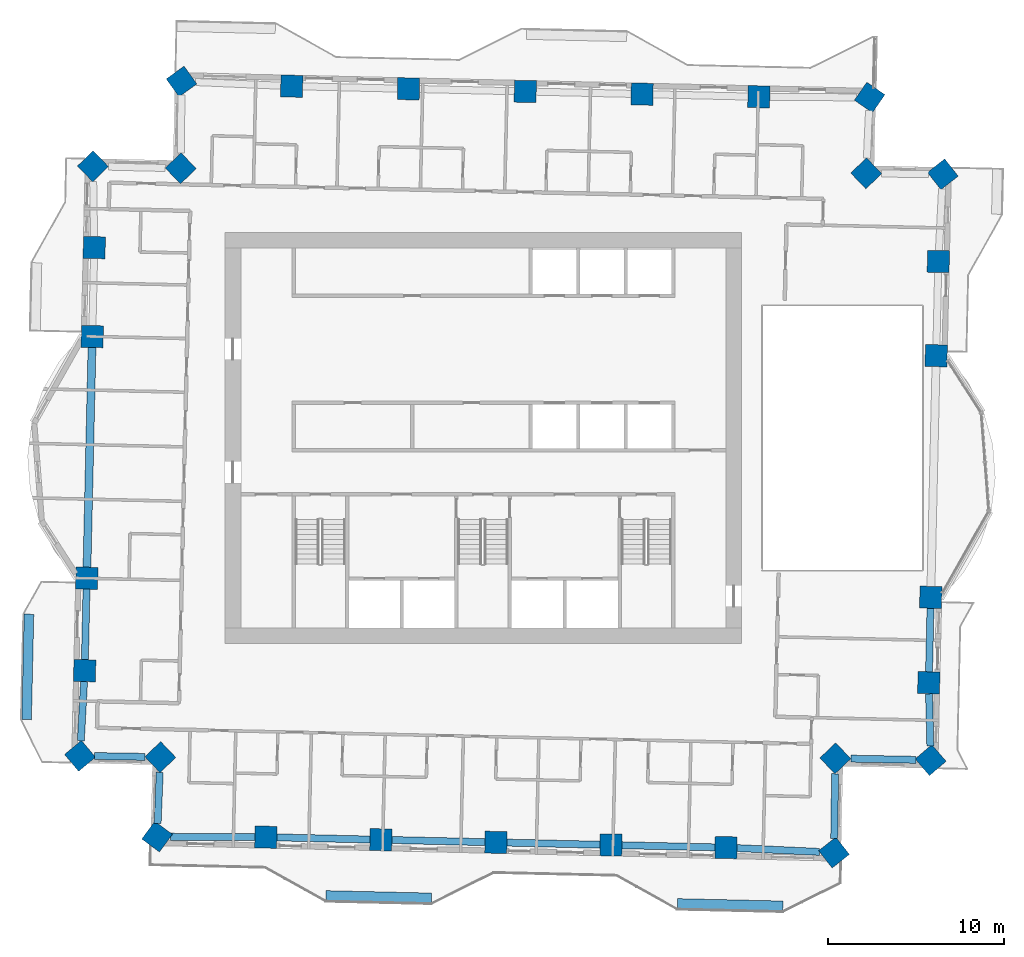
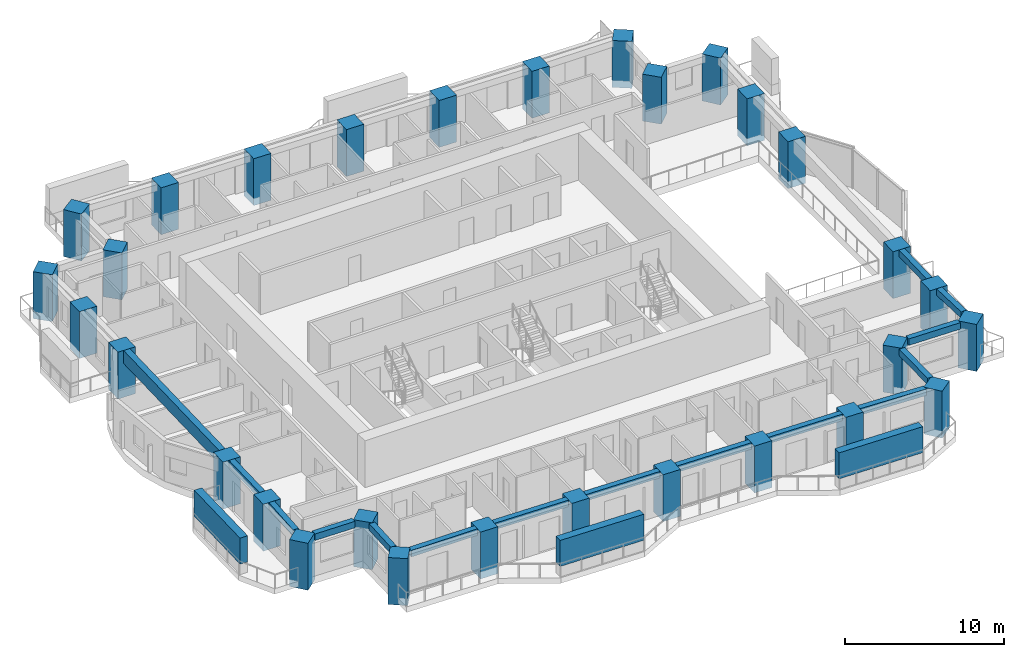
# One storey, part 1 of 14: 30 columns, 15 beams, 3 members.
"""IFC4 building model written with IfcOpenShell, lengths in metres."""

from ifc_helpers import new_model, si_unit, direction, frame, origin, origin_2d, place, context, subcontext, project, spatial, rectangle, extrude, material, material_profile, profile_set, type_object, element, save


model = new_model("IFC4")

# Units and contexts
model_context = context("Model", 3, precision=1e-05, world=origin(), true_north=direction((0.0, 1.0)))
body_context = subcontext(model_context, "Body", "Model", "MODEL_VIEW")
ifc_project = project(units=[si_unit("LENGTHUNIT", "METRE"), si_unit("AREAUNIT", "SQUARE_METRE"), si_unit("VOLUMEUNIT", "CUBIC_METRE"), si_unit("PLANEANGLEUNIT", "RADIAN"), si_unit("MASSUNIT", "GRAM", prefix="KILO")], contexts=[model_context])

# Site, building, storey
site_placement = place(None, origin())
site = spatial("IfcSite", under=ifc_project, at=site_placement, CompositionType="ELEMENT")
building_placement = place(site_placement, origin())
building = spatial("IfcBuilding", under=site, at=building_placement, Name="Mangrove Gate Tower", CompositionType="ELEMENT")
storey_placement = place(building_placement, frame((0.0, 0.0, 152.699951171875)))
storey = spatial("IfcBuildingStorey", under=building, at=storey_placement, Name="L38", CompositionType="ELEMENT", Elevation=152.699951171875)

# Columns
ifc_material_1 = material(Name="Concrete C60/75", Category="concrete")
ifc_material_profile_1 = material_profile(ifc_material_1, rectangle(XDim=1.25, YDim=1.25, at=origin_2d()))
ifc_profile_set_1 = profile_set([ifc_material_profile_1], Name="Concrete C60/75")
column_type = type_object("IfcColumnType", Name="Column RC 1250x1250 C60/75", PredefinedType="COLUMN", material=ifc_profile_set_1)
for number, where, z_axis, x_axis, name in (
    (1, (-22.565185546875, -7.979248046875, -0.550048828125), (0.0, 0.0, 1.0), (-0.022667651322, -0.999743055782, 0.0), "Column L38 W05"),
    (2, (-22.68408203125, -13.240234375, -0.550048828125), (0.0, 0.0, 1.0), (-0.022613490188, -0.999744282335, 0.0), "Column L38 W06"),
    (3, (-22.9482421875, -18.08642578125, -0.550048828125), (0.0, 0.0, 1.0), (0.640873753585, -0.767646293527, 0.0), "Column L38 W07"),
    (4, (-18.378173828125, -18.1591796875, -0.550048828125), (0.0, 0.0, 1.0), (0.690859559249, -0.722988982899, 0.0), "Column L38 W08"),
    (5, (-18.563232421875, -22.686767578125, -0.550048828125), (0.0, 0.0, 1.0), (0.804996144733, -0.593280040929, 0.0), "Column L38 S01"),
    (6, (-12.374755859375, -22.713134765625, -0.550048828125), (0.0, 0.0, 1.0), (0.999742702367, -0.022683233105, 0.0), "Column L38 S02"),
    (7, (-5.829833984375, -22.862060546875, -0.550048828125), (0.0, 0.0, 1.0), (0.999742702367, -0.022683233105, 0.0), "Column L38 S03"),
    (8, (0.715087890625, -23.01025390625, -0.550048828125), (0.0, 0.0, 1.0), (0.999742702367, -0.022683233105, 0.0), "Column L38 S04"),
    (9, (7.26025390625, -23.1591796875, -0.550048828125), (0.0, 0.0, 1.0), (0.999742702367, -0.022683233105, 0.0), "Column L38 S05"),
    (10, (13.80517578125, -23.30712890625, -0.550048828125), (0.0, 0.0, 1.0), (0.999742702367, -0.022683233105, 0.0), "Column L38 S06"),
    (11, (19.94921875, -23.590087890625, -0.550048828125), (0.0, 0.0, 1.0), (0.785651346068, 0.618669509853, 0.0), "Column L38 S07"),
    (12, (20.026123046875, -18.230224609375, -0.550048828125), (0.0, 0.0, 1.0), (0.722965976266, 0.690883635037, 0.0), "Column L38 E01"),
    (13, (25.449462890625, -18.3310546875, -0.550048828125), (0.0, 0.0, 1.0), (0.758167511602, 0.65205983188, 0.0), "Column L38 E02"),
    (14, (25.342041015625, -13.9296875, -0.550048828125), (0.0, 0.0, 1.0), (0.022726069892, 0.999741729522, 0.0), "Column L38 E03"),
    (15, (25.453125, -9.06884765625, -0.550048828125), (0.0, 0.0, 1.0), (0.022725057863, 0.999741752527, 0.0), "Column L38 E04"),
    (16, (25.76513671875, 4.67919921875, -0.550048828125), (0.0, 0.0, 1.0), (0.022654843895, 0.999743346088, 0.0), "Column L38 E05"),
    (17, (25.88623046875, 10.0390625, -0.550048828125), (0.0, 0.0, 1.0), (0.022659973846, 0.999743229827, 0.0), "Column L38 E06"),
    (18, (26.140869140625, 15.000732421875, -0.550048828125), (0.0, 0.0, 1.0), (-0.616591984417, 0.787282874672, 0.0), "Column L38 E07"),
    (19, (21.7822265625, 15.05419921875, -0.550048828125), (0.0, 0.0, 1.0), (-0.690854032309, 0.722994264183, 0.0), "Column L38 E08"),
    (20, (21.977294921875, 19.371826171875, -0.550048828125), (0.0, 0.0, 1.0), (-0.821084149613, 0.570807164684, 0.0), "Column L38 N01"),
    (21, (15.6748046875, 19.4111328125, -0.550048828125), (0.0, 0.0, 1.0), (-0.999741913136, 0.022717991104, 0.0), "Column L38 N02"),
    (22, (9.02978515625, 19.562255859375, -0.550048828125), (0.0, 0.0, 1.0), (-0.999741913136, 0.022717991104, 0.0), "Column L38 N03"),
    (23, (2.384765625, 19.713134765625, -0.550048828125), (0.0, 0.0, 1.0), (-0.999743618843, 0.022642804212, 0.0), "Column L38 N04"),
    (24, (-4.26025390625, 19.86328125, -0.550048828125), (0.0, 0.0, 1.0), (-0.999743618843, 0.022642804212, 0.0), "Column L38 N05"),
    (25, (-10.9052734375, 20.01416015625, -0.550048828125), (0.0, 0.0, 1.0), (-0.999741913136, 0.022717991104, 0.0), "Column L38 N06"),
    (26, (-17.171630859375, 20.2822265625, -0.550048828125), (0.0, 0.0, 1.0), (-0.812545678333, -0.582897521545, 0.0), "Column L38 N07"),
    (27, (-17.21728515625, 15.339111328125, -0.550048828125), (0.0, 0.0, 1.0), (-0.722976563275, -0.690872556232, 0.0), "Column L38 W01"),
    (28, (-22.21337890625, 15.455810546875, -0.550048828125), (0.0, 0.0, 1.0), (-0.718744863036, -0.695273918581, 0.0), "Column L38 W02"),
    (29, (-22.13818359375, 10.829833984375, -0.550048828125), (0.0, 0.0, 1.0), (-0.022716926728, -0.999741937322, 0.0), "Column L38 W03"),
    (30, (-22.253173828125, 5.768798828125, -0.550048828125), (0.0, 0.0, 1.0), (-0.022696057972, -0.9997424113, 0.0), "Column L38 W04"),
):
    element("IfcColumn", number, at=place(storey_placement, frame(where, z_axis=z_axis, x_axis=x_axis)), inside=storey, type_object=column_type, Name=name, PredefinedType="COLUMN", context=body_context, shape_type="SweptSolid", body=[
        extrude(rectangle(XDim=1.25, YDim=1.25, at=origin_2d()), origin(), (0.0, 0.0, 1.0), 3.60009765625),
    ])

# Members
ifc_material_2 = material(Name="Planting on aluminium trellis", Category="aluminium")
ifc_material_profile_2 = material_profile(ifc_material_2, rectangle(XDim=0.550048828125, YDim=2.0, at=origin_2d()))
ifc_profile_set_2 = profile_set([ifc_material_profile_2], Name="Planting on aluminium trellis")
member_type = type_object("IfcMemberType", Name="Balcony greenery screen 550x2000", PredefinedType="USERDEFINED", material=ifc_profile_set_2)
member_placement = place(storey_placement, frame((-25.988037109375, -16.028076171875, 1.800048828125), z_axis=(0.022662255828, 0.999743178102, 0.0), x_axis=(-0.999743178102, 0.022662255828, 0.0)))
element("IfcMember", 31, at=member_placement, inside=storey, type_object=member_type, Name="GREEN SCREEN L38 W1.1", ObjectType="PLANTING", PredefinedType="USERDEFINED", context=body_context, shape_type="SweptSolid", body=[
    extrude(rectangle(XDim=0.550048828125, YDim=2.0, at=origin_2d()), origin(), (0.0, 0.0, 1.0), 6.00048828125),
])
for number, where, z_axis, x_axis, name in (
    (32, (-8.9560546875, -26.031982421875, 1.800048828125), (0.999743094499, -0.022665943652, 0.0), (0.022665943652, 0.999743094499, 0.0), "GREEN SCREEN L38 S0.1"),
    (33, (11.0390625, -26.486083984375, 1.800048828125), (0.999743094499, -0.022665943652, 0.0), (0.022665943652, 0.999743094499, 0.0), "GREEN SCREEN L38 S1.1"),
):
    element("IfcMember", number, at=place(storey_placement, frame(where, z_axis=z_axis, x_axis=x_axis)), inside=storey, type_object=member_type, Name=name, ObjectType="PLANTING", PredefinedType="USERDEFINED", context=body_context, shape_type="SweptSolid", body=[
        extrude(rectangle(XDim=0.550048828125, YDim=2.0, at=origin_2d()), origin(), (0.0, 0.0, 1.0), 5.99951171875),
    ])

# Beams
ifc_material_3 = material(Name="Concrete C50/60", Category="concrete")
ifc_material_profile_3 = material_profile(ifc_material_3, rectangle(XDim=0.39990234375, YDim=0.5, at=origin_2d()))
ifc_profile_set_3 = profile_set([ifc_material_profile_3], Name="Concrete C50/60")
beam_type_1 = type_object("IfcBeamType", Name="Edge beam RC 400x500 C50/60", PredefinedType="BEAM", material=ifc_profile_set_3)
beam_1_placement = place(storey_placement, frame((-22.579345703125, -8.60400390625, 2.800048828125), z_axis=(-0.02257489059, -0.999745154684, 0.0), x_axis=(0.999745154684, -0.02257489059, 0.0)))
element("IfcBeam", 34, at=beam_1_placement, inside=storey, type_object=beam_type_1, Name="Edge beam L38 00", PredefinedType="BEAM", context=body_context, shape_type="SweptSolid", body=[
    extrude(rectangle(XDim=0.39990234375, YDim=0.5, at=origin_2d()), origin(), (0.0, 0.0, 1.0), 4.01220703125),
])
beam_2_placement = place(storey_placement, frame((-22.71826171875, -13.864501953125, 2.800048828125), z_axis=(-0.054415957845, -0.998518354129, 0.0), x_axis=(0.998518354129, -0.054415957845, 0.0)))
element("IfcBeam", 35, at=beam_2_placement, inside=storey, type_object=beam_type_1, Name="Edge beam L38 01", PredefinedType="BEAM", context=body_context, shape_type="SweptSolid", body=[
    extrude(rectangle(XDim=0.39990234375, YDim=0.5, at=origin_2d()), origin(), (0.0, 0.0, 1.0), 3.373779296875),
])
beam_3_placement = place(storey_placement, frame((-22.123046875, -18.099609375, 2.800048828125), z_axis=(0.999873252746, -0.015921006324, 0.0), x_axis=(0.015921006324, 0.999873252746, 0.0)))
element("IfcBeam", 36, at=beam_3_placement, inside=storey, type_object=beam_type_1, Name="Edge beam L38 02", PredefinedType="BEAM", context=body_context, shape_type="SweptSolid", body=[
    extrude(rectangle(XDim=0.39990234375, YDim=0.5, at=origin_2d()), origin(), (0.0, 0.0, 1.0), 2.867431640625),
])
beam_4_placement = place(storey_placement, frame((-18.41357421875, -19.02685546875, 2.800048828125), z_axis=(-0.040876425579, -0.999164209643, 0.0), x_axis=(0.999164209643, -0.040876425579, 0.0)))
element("IfcBeam", 37, at=beam_4_placement, inside=storey, type_object=beam_type_1, Name="Edge beam L38 03", PredefinedType="BEAM", context=body_context, shape_type="SweptSolid", body=[
    extrude(rectangle(XDim=0.39990234375, YDim=0.5, at=origin_2d()), origin(), (0.0, 0.0, 1.0), 2.90869140625),
])
beam_5_placement = place(storey_placement, frame((-17.789306640625, -22.690185546875, 2.800048828125), z_axis=(0.999991049338, -0.004230986241, 0.0), x_axis=(0.004230986241, 0.999991049338, 0.0)))
element("IfcBeam", 38, at=beam_5_placement, inside=storey, type_object=beam_type_1, Name="Edge beam L38 04", PredefinedType="BEAM", context=body_context, shape_type="SweptSolid", body=[
    extrude(rectangle(XDim=0.39990234375, YDim=0.5, at=origin_2d()), origin(), (0.0, 0.0, 1.0), 4.789306640625),
])
for number, where, z_axis, x_axis, name in (
    (39, (-11.75, -22.727294921875, 2.800048828125), (0.999740739783, -0.022769567794, 0.0), (0.022769567794, 0.999740739783, 0.0), "Edge beam L38 05"),
    (40, (-5.205078125, -22.876220703125, 2.800048828125), (0.999743877925, -0.022631362105, 0.0), (0.022631362105, 0.999743877925, 0.0), "Edge beam L38 06"),
):
    element("IfcBeam", number, at=place(storey_placement, frame(where, z_axis=z_axis, x_axis=x_axis)), inside=storey, type_object=beam_type_1, Name=name, PredefinedType="BEAM", context=body_context, shape_type="SweptSolid", body=[
        extrude(rectangle(XDim=0.39990234375, YDim=0.5, at=origin_2d()), origin(), (0.0, 0.0, 1.0), 5.296875),
    ])
beam_6_placement = place(storey_placement, frame((1.340087890625, -23.0244140625, 2.800048828125), z_axis=(0.999740715885, -0.022770617071, 0.0), x_axis=(0.022770617071, 0.999740715885, 0.0)))
element("IfcBeam", 41, at=beam_6_placement, inside=storey, type_object=beam_type_1, Name="Edge beam L38 07", PredefinedType="BEAM", context=body_context, shape_type="SweptSolid", body=[
    extrude(rectangle(XDim=0.39990234375, YDim=0.5, at=origin_2d()), origin(), (0.0, 0.0, 1.0), 5.296630859375),
])
beam_7_placement = place(storey_placement, frame((7.885009765625, -23.17333984375, 2.800048828125), z_axis=(0.999744919731, -0.022585293253, 0.0), x_axis=(0.022585293253, 0.999744919731, 0.0)))
element("IfcBeam", 42, at=beam_7_placement, inside=storey, type_object=beam_type_1, Name="Edge beam L38 08", PredefinedType="BEAM", context=body_context, shape_type="SweptSolid", body=[
    extrude(rectangle(XDim=0.39990234375, YDim=0.5, at=origin_2d()), origin(), (0.0, 0.0, 1.0), 5.296875),
])
beam_8_placement = place(storey_placement, frame((14.4296875, -23.3359375, 2.800048828125), z_axis=(0.998942344902, -0.045980338859, 0.0), x_axis=(0.045980338859, 0.998942344902, 0.0)))
element("IfcBeam", 43, at=beam_8_placement, inside=storey, type_object=beam_type_1, Name="Edge beam L38 09", PredefinedType="BEAM", context=body_context, shape_type="SweptSolid", body=[
    extrude(rectangle(XDim=0.39990234375, YDim=0.5, at=origin_2d()), origin(), (0.0, 0.0, 1.0), 4.698974609375),
])
beam_9_placement = place(storey_placement, frame((19.9609375, -22.785400390625, 2.800048828125), z_axis=(0.014333541957, 0.999897269511, 0.0), x_axis=(-0.999897269511, 0.014333541957, 0.0)))
element("IfcBeam", 44, at=beam_9_placement, inside=storey, type_object=beam_type_1, Name="Edge beam L38 10", PredefinedType="BEAM", context=body_context, shape_type="SweptSolid", body=[
    extrude(rectangle(XDim=0.39990234375, YDim=0.5, at=origin_2d()), origin(), (0.0, 0.0, 1.0), 3.67919921875),
])
beam_10_placement = place(storey_placement, frame((20.90625, -18.24658203125, 2.800048828125), z_axis=(0.999827422602, -0.018577540566, 0.0), x_axis=(0.018577540566, 0.999827422602, 0.0)))
element("IfcBeam", 45, at=beam_10_placement, inside=storey, type_object=beam_type_1, Name="Edge beam L38 11", PredefinedType="BEAM", context=body_context, shape_type="SweptSolid", body=[
    extrude(rectangle(XDim=0.39990234375, YDim=0.5, at=origin_2d()), origin(), (0.0, 0.0, 1.0), 3.7060546875),
])
beam_11_placement = place(storey_placement, frame((25.4296875, -17.523681640625, 2.800048828125), z_axis=(-0.024338897392, 0.999703765159, 0.0), x_axis=(-0.999703765159, -0.024338897392, 0.0)))
element("IfcBeam", 46, at=beam_11_placement, inside=storey, type_object=beam_type_1, Name="Edge beam L38 12", PredefinedType="BEAM", context=body_context, shape_type="SweptSolid", body=[
    extrude(rectangle(XDim=0.39990234375, YDim=0.5, at=origin_2d()), origin(), (0.0, 0.0, 1.0), 2.96923828125),
])
beam_12_placement = place(storey_placement, frame((25.3564453125, -13.304931640625, 2.800048828125), z_axis=(0.022844226229, 0.999739036613, 0.0), x_axis=(-0.999739036613, 0.022844226229, 0.0)))
element("IfcBeam", 47, at=beam_12_placement, inside=storey, type_object=beam_type_1, Name="Edge beam L38 13", PredefinedType="BEAM", context=body_context, shape_type="SweptSolid", body=[
    extrude(rectangle(XDim=0.39990234375, YDim=0.5, at=origin_2d()), origin(), (0.0, 0.0, 1.0), 3.6123046875),
])
ifc_material_4 = material(Name="Concrete C50/60", Category="concrete")
ifc_material_profile_4 = material_profile(ifc_material_4, rectangle(XDim=0.449951171875, YDim=1.0, at=origin_2d()))
ifc_profile_set_4 = profile_set([ifc_material_profile_4], Name="Concrete C50/60")
beam_type_2 = type_object("IfcBeamType", Name="Edge beam RC 450x1000 C50/60", PredefinedType="BEAM", material=ifc_profile_set_4)
beam_13_placement = place(storey_placement, frame((-22.267333984375, 5.14404296875, 2.550048828125), z_axis=(-0.02269257074, -0.999742490461, 0.0), x_axis=(0.999742490461, -0.02269257074, 0.0)))
element("IfcBeam", 48, at=beam_13_placement, inside=storey, type_object=beam_type_2, Name="Edge beam L38 29", PredefinedType="BEAM", context=body_context, shape_type="SweptSolid", body=[
    extrude(rectangle(XDim=0.449951171875, YDim=1.0, at=origin_2d()), origin(), (0.0, 0.0, 1.0), 12.50146484375),
])

save(model, "model.ifc")
